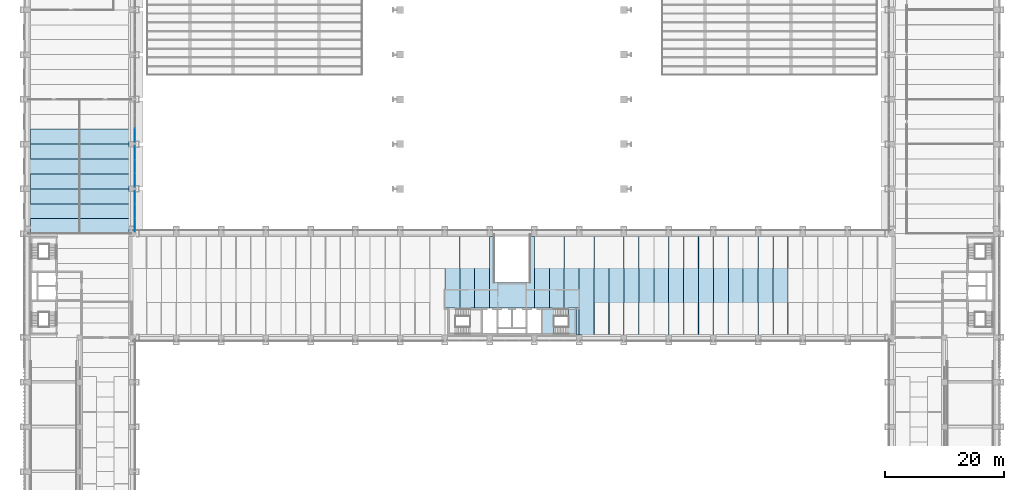
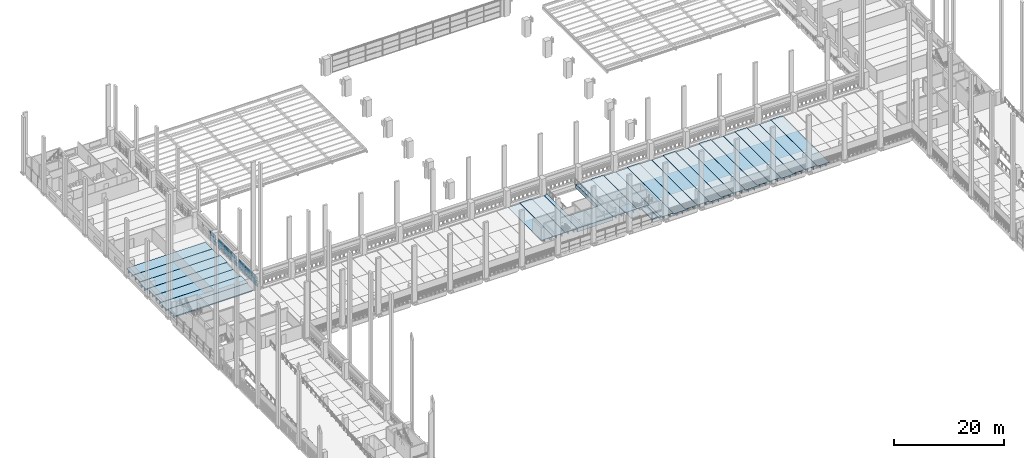
# One storey, part 29 of 67: 31 slabs, 21 plates, 4 elements without a shape of their own.
"""IFC4 building model written with IfcOpenShell, lengths in metres."""

from ifc_helpers import new_model, si_unit, direction, frame, origin, origin_2d, place, context, subcontext, project, spatial, polyline, rectangle, outline, extrude, material, layer, layer_set, material_profile, profile_set, type_object, element, aggregate, save


model = new_model("IFC4")

# Units and contexts
model_context = context("Model", 3, precision=1e-05, world=origin(), true_north=direction((0.0, 1.0)))
body_context = subcontext(model_context, "Body", "Model", "MODEL_VIEW")
ifc_project = project(units=[si_unit("LENGTHUNIT", "METRE"), si_unit("AREAUNIT", "SQUARE_METRE"), si_unit("VOLUMEUNIT", "CUBIC_METRE"), si_unit("PLANEANGLEUNIT", "RADIAN"), si_unit("MASSUNIT", "GRAM", prefix="KILO")], contexts=[model_context])

# Site, building, storey
site_placement = place(None, origin())
site = spatial("IfcSite", under=ifc_project, at=site_placement, CompositionType="ELEMENT")
building_placement = place(site_placement, origin())
building = spatial("IfcBuilding", under=site, at=building_placement, Name="Cour d'Honneur Mobility Palace", CompositionType="ELEMENT")
storey_placement = place(building_placement, frame((0.0, 0.0, 4.5)))
storey = spatial("IfcBuildingStorey", under=building, at=storey_placement, Name="L01", CompositionType="ELEMENT", Elevation=4.5)

# Slabs
ifc_material_1 = material(Name="Concrete C50", Category="concrete")
ifc_layer_1 = layer(ifc_material_1, 0.25)
ifc_layer_set_1 = layer_set([ifc_layer_1], Name="Concrete C50")
slab_type_1 = type_object("IfcSlabType", Name="Cast-in-place Slab 250", PredefinedType="FLOOR", material=ifc_layer_set_1)
slab_1_placement = place(storey_placement, frame((0.0, 0.0, -0.25)))
element("IfcSlab", 1, at=slab_1_placement, inside=storey, type_object=slab_type_1, Name="Cast-in-place slab S1 L01 core", PredefinedType="FLOOR", context=body_context, shape_type="SweptSolid", body=[
    extrude(outline(polyline([(91.949951171875, 45.449951171875), (91.949951171875, 49.800048828125), (92.39990234375, 49.800048828125), (92.39990234375, 45.449951171875), (91.949951171875, 45.449951171875)])), origin(), (0.0, 0.0, 1.0), 0.25),
])
slab_2_placement = place(storey_placement, frame((0.0, 0.0, -0.25)))
element("IfcSlab", 2, at=slab_2_placement, inside=storey, type_object=slab_type_1, Name="Cast-in-place slab S1 L01 core", PredefinedType="FLOOR", context=body_context, shape_type="SweptSolid", body=[
    extrude(outline(polyline([(91.699951171875, 45.699951171875), (90.625, 45.699951171875), (90.625, 49.675048828125), (91.699951171875, 49.675048828125), (91.699951171875, 45.699951171875)])), origin(), (0.0, 0.0, 1.0), 0.25),
])
ifc_material_2 = material(Name="Concrete C50", Category="concrete")
ifc_layer_2 = layer(ifc_material_2, 0.800048828125)
ifc_layer_set_2 = layer_set([ifc_layer_2], Name="Concrete C50")
slab_type_2 = type_object("IfcSlabType", Name="Cast-in-place Slab 800", PredefinedType="FLOOR", material=ifc_layer_set_2)
slab_3_placement = place(storey_placement, frame((0.0, 0.0, -0.800048828125)))
element("IfcSlab", 3, at=slab_3_placement, inside=storey, type_object=slab_type_2, Name="Cast-in-place slab S2 L01 grand stair", PredefinedType="FLOOR", context=body_context, shape_type="SweptSolid", body=[
    extrude(outline(polyline([(84.89990234375, 49.925048828125), (77.39990234375, 49.925048828125), (77.39990234375, 61.949951171875), (77.85009765625, 61.949951171875), (77.85009765625, 62.199951171875), (78.14990234375, 62.199951171875), (78.14990234375, 54.199951171875), (84.14990234375, 54.199951171875), (84.14990234375, 62.199951171875), (84.449951171875, 62.199951171875), (84.449951171875, 61.949951171875), (84.89990234375, 61.949951171875), (84.89990234375, 49.925048828125)])), origin(), (0.0, 0.0, 1.0), 0.800048828125),
])

# Curtain wall, plates
ifc_material_3 = material(Name="Aluminium and glass", Category="aluminium")
ifc_layer_3 = layer(ifc_material_3, 0.10009765625)
ifc_layer_set_3 = layer_set([ifc_layer_3], Name="Aluminium and glass")
curtain_wall_type = type_object("IfcCurtainWallType", Name="Curtain wall run", PredefinedType="NOTDEFINED", material=ifc_layer_set_3)
curtain_wall_1_placement = place(storey_placement, origin())
curtain_wall_1 = element("IfcCurtainWall", 4, at=curtain_wall_1_placement, inside=storey, type_object=curtain_wall_type, Name="Curtain wall CW-16", PredefinedType="NOTDEFINED")
ifc_material_4 = material(Name="Double glazing", Category="glass")
ifc_layer_4 = layer(ifc_material_4, 0.028076171875)
ifc_layer_set_4 = layer_set([ifc_layer_4], Name="Double glazing")
plate_type = type_object("IfcPlateType", Name="Curtain wall panel", PredefinedType="CURTAIN_PANEL", material=ifc_layer_set_4)
plate_1_placement = place(storey_placement, frame((17.949951171875, 63.864990234375, 0.06005859375), z_axis=(0.0, 0.0, 1.0), x_axis=(0.0, 1.0, 0.0)))
plate_1 = element("IfcPlate", 5, at=plate_1_placement, type_object=plate_type, Name="CW-16 panel 1.1", PredefinedType="CURTAIN_PANEL", context=body_context, shape_type="SweptSolid", body=[
    extrude(rectangle(XDim=2.2099609375, YDim=0.028076171875, at=origin_2d()), origin(), (0.0, 0.0, 1.0), 0.6767578125),
])
plate_2_placement = place(storey_placement, frame((17.949951171875, 63.864990234375, 0.79638671875), z_axis=(0.0, 0.0, 1.0), x_axis=(0.0, 1.0, 0.0)))
plate_2 = element("IfcPlate", 6, at=plate_2_placement, type_object=plate_type, Name="CW-16 panel 1.2", PredefinedType="CURTAIN_PANEL", context=body_context, shape_type="SweptSolid", body=[
    extrude(rectangle(XDim=2.2099609375, YDim=0.028076171875, at=origin_2d()), origin(), (0.0, 0.0, 1.0), 0.706787109375),
])
plate_3_placement = place(storey_placement, frame((17.949951171875, 63.864990234375, 1.563232421875), z_axis=(0.0, 0.0, 1.0), x_axis=(0.0, 1.0, 0.0)))
plate_3 = element("IfcPlate", 7, at=plate_3_placement, type_object=plate_type, Name="CW-16 panel 1.3", PredefinedType="CURTAIN_PANEL", context=body_context, shape_type="SweptSolid", body=[
    extrude(rectangle(XDim=2.2099609375, YDim=0.028076171875, at=origin_2d()), origin(), (0.0, 0.0, 1.0), 0.6767578125),
])
plate_4_placement = place(storey_placement, frame((17.949951171875, 66.14990234375, 0.06005859375), z_axis=(0.0, 0.0, 1.0), x_axis=(0.0, 1.0, 0.0)))
plate_4 = element("IfcPlate", 8, at=plate_4_placement, type_object=plate_type, Name="CW-16 panel 2.1", PredefinedType="CURTAIN_PANEL", context=body_context, shape_type="SweptSolid", body=[
    extrude(rectangle(XDim=2.239990234375, YDim=0.028076171875, at=origin_2d()), origin(), (0.0, 0.0, 1.0), 0.6767578125),
])
plate_5_placement = place(storey_placement, frame((17.949951171875, 66.14990234375, 0.79638671875), z_axis=(0.0, 0.0, 1.0), x_axis=(0.0, 1.0, 0.0)))
plate_5 = element("IfcPlate", 9, at=plate_5_placement, type_object=plate_type, Name="CW-16 panel 2.2", PredefinedType="CURTAIN_PANEL", context=body_context, shape_type="SweptSolid", body=[
    extrude(rectangle(XDim=2.239990234375, YDim=0.028076171875, at=origin_2d()), origin(), (0.0, 0.0, 1.0), 0.706787109375),
])
plate_6_placement = place(storey_placement, frame((17.949951171875, 66.14990234375, 1.563232421875), z_axis=(0.0, 0.0, 1.0), x_axis=(0.0, 1.0, 0.0)))
plate_6 = element("IfcPlate", 10, at=plate_6_placement, type_object=plate_type, Name="CW-16 panel 2.3", PredefinedType="CURTAIN_PANEL", context=body_context, shape_type="SweptSolid", body=[
    extrude(rectangle(XDim=2.239990234375, YDim=0.028076171875, at=origin_2d()), origin(), (0.0, 0.0, 1.0), 0.6767578125),
])
plate_7_placement = place(storey_placement, frame((17.949951171875, 68.43505859375, 0.06005859375), z_axis=(0.0, 0.0, 1.0), x_axis=(0.0, 1.0, 0.0)))
plate_7 = element("IfcPlate", 11, at=plate_7_placement, type_object=plate_type, Name="CW-16 panel 3.1", PredefinedType="CURTAIN_PANEL", context=body_context, shape_type="SweptSolid", body=[
    extrude(rectangle(XDim=2.2099609375, YDim=0.028076171875, at=origin_2d()), origin(), (0.0, 0.0, 1.0), 0.6767578125),
])
plate_8_placement = place(storey_placement, frame((17.949951171875, 68.43505859375, 0.79638671875), z_axis=(0.0, 0.0, 1.0), x_axis=(0.0, 1.0, 0.0)))
plate_8 = element("IfcPlate", 12, at=plate_8_placement, type_object=plate_type, Name="CW-16 panel 3.2", PredefinedType="CURTAIN_PANEL", context=body_context, shape_type="SweptSolid", body=[
    extrude(rectangle(XDim=2.2099609375, YDim=0.028076171875, at=origin_2d()), origin(), (0.0, 0.0, 1.0), 0.706787109375),
])
plate_9_placement = place(storey_placement, frame((17.949951171875, 68.43505859375, 1.563232421875), z_axis=(0.0, 0.0, 1.0), x_axis=(0.0, 1.0, 0.0)))
plate_9 = element("IfcPlate", 13, at=plate_9_placement, type_object=plate_type, Name="CW-16 panel 3.3", PredefinedType="CURTAIN_PANEL", context=body_context, shape_type="SweptSolid", body=[
    extrude(rectangle(XDim=2.2099609375, YDim=0.028076171875, at=origin_2d()), origin(), (0.0, 0.0, 1.0), 0.6767578125),
])
aggregate(curtain_wall_1, [plate_1, plate_2, plate_3, plate_4, plate_5, plate_6, plate_7, plate_8, plate_9])

curtain_wall_2_placement = place(storey_placement, origin())
curtain_wall_2 = element("IfcCurtainWall", 14, at=curtain_wall_2_placement, inside=storey, type_object=curtain_wall_type, Name="Curtain wall CW-17", PredefinedType="NOTDEFINED")
plate_10_placement = place(storey_placement, frame((17.949951171875, 71.364990234375, 0.06005859375), z_axis=(0.0, 0.0, 1.0), x_axis=(0.0, 1.0, 0.0)))
plate_10 = element("IfcPlate", 15, at=plate_10_placement, type_object=plate_type, Name="CW-17 panel 1.1", PredefinedType="CURTAIN_PANEL", context=body_context, shape_type="SweptSolid", body=[
    extrude(rectangle(XDim=2.2099609375, YDim=0.028076171875, at=origin_2d()), origin(), (0.0, 0.0, 1.0), 0.6767578125),
])
plate_11_placement = place(storey_placement, frame((17.949951171875, 71.364990234375, 0.79638671875), z_axis=(0.0, 0.0, 1.0), x_axis=(0.0, 1.0, 0.0)))
plate_11 = element("IfcPlate", 16, at=plate_11_placement, type_object=plate_type, Name="CW-17 panel 1.2", PredefinedType="CURTAIN_PANEL", context=body_context, shape_type="SweptSolid", body=[
    extrude(rectangle(XDim=2.2099609375, YDim=0.028076171875, at=origin_2d()), origin(), (0.0, 0.0, 1.0), 0.706787109375),
])
plate_12_placement = place(storey_placement, frame((17.949951171875, 71.364990234375, 1.563232421875), z_axis=(0.0, 0.0, 1.0), x_axis=(0.0, 1.0, 0.0)))
plate_12 = element("IfcPlate", 17, at=plate_12_placement, type_object=plate_type, Name="CW-17 panel 1.3", PredefinedType="CURTAIN_PANEL", context=body_context, shape_type="SweptSolid", body=[
    extrude(rectangle(XDim=2.2099609375, YDim=0.028076171875, at=origin_2d()), origin(), (0.0, 0.0, 1.0), 0.6767578125),
])
plate_13_placement = place(storey_placement, frame((17.949951171875, 73.64990234375, 0.06005859375), z_axis=(0.0, 0.0, 1.0), x_axis=(0.0, 1.0, 0.0)))
plate_13 = element("IfcPlate", 18, at=plate_13_placement, type_object=plate_type, Name="CW-17 panel 2.1", PredefinedType="CURTAIN_PANEL", context=body_context, shape_type="SweptSolid", body=[
    extrude(rectangle(XDim=2.239990234375, YDim=0.028076171875, at=origin_2d()), origin(), (0.0, 0.0, 1.0), 0.6767578125),
])
plate_14_placement = place(storey_placement, frame((17.949951171875, 73.64990234375, 0.79638671875), z_axis=(0.0, 0.0, 1.0), x_axis=(0.0, 1.0, 0.0)))
plate_14 = element("IfcPlate", 19, at=plate_14_placement, type_object=plate_type, Name="CW-17 panel 2.2", PredefinedType="CURTAIN_PANEL", context=body_context, shape_type="SweptSolid", body=[
    extrude(rectangle(XDim=2.239990234375, YDim=0.028076171875, at=origin_2d()), origin(), (0.0, 0.0, 1.0), 0.706787109375),
])
plate_15_placement = place(storey_placement, frame((17.949951171875, 73.64990234375, 1.563232421875), z_axis=(0.0, 0.0, 1.0), x_axis=(0.0, 1.0, 0.0)))
plate_15 = element("IfcPlate", 20, at=plate_15_placement, type_object=plate_type, Name="CW-17 panel 2.3", PredefinedType="CURTAIN_PANEL", context=body_context, shape_type="SweptSolid", body=[
    extrude(rectangle(XDim=2.239990234375, YDim=0.028076171875, at=origin_2d()), origin(), (0.0, 0.0, 1.0), 0.6767578125),
])
plate_16_placement = place(storey_placement, frame((17.949951171875, 75.93505859375, 0.06005859375), z_axis=(0.0, 0.0, 1.0), x_axis=(0.0, 1.0, 0.0)))
plate_16 = element("IfcPlate", 21, at=plate_16_placement, type_object=plate_type, Name="CW-17 panel 3.1", PredefinedType="CURTAIN_PANEL", context=body_context, shape_type="SweptSolid", body=[
    extrude(rectangle(XDim=2.2099609375, YDim=0.028076171875, at=origin_2d()), origin(), (0.0, 0.0, 1.0), 0.6767578125),
])
plate_17_placement = place(storey_placement, frame((17.949951171875, 75.93505859375, 0.79638671875), z_axis=(0.0, 0.0, 1.0), x_axis=(0.0, 1.0, 0.0)))
plate_17 = element("IfcPlate", 22, at=plate_17_placement, type_object=plate_type, Name="CW-17 panel 3.2", PredefinedType="CURTAIN_PANEL", context=body_context, shape_type="SweptSolid", body=[
    extrude(rectangle(XDim=2.2099609375, YDim=0.028076171875, at=origin_2d()), origin(), (0.0, 0.0, 1.0), 0.706787109375),
])
plate_18_placement = place(storey_placement, frame((17.949951171875, 75.93505859375, 1.563232421875), z_axis=(0.0, 0.0, 1.0), x_axis=(0.0, 1.0, 0.0)))
plate_18 = element("IfcPlate", 23, at=plate_18_placement, type_object=plate_type, Name="CW-17 panel 3.3", PredefinedType="CURTAIN_PANEL", context=body_context, shape_type="SweptSolid", body=[
    extrude(rectangle(XDim=2.2099609375, YDim=0.028076171875, at=origin_2d()), origin(), (0.0, 0.0, 1.0), 0.6767578125),
])
aggregate(curtain_wall_2, [plate_10, plate_11, plate_12, plate_13, plate_14, plate_15, plate_16, plate_17, plate_18])

curtain_wall_3_placement = place(storey_placement, origin())
curtain_wall_3 = element("IfcCurtainWall", 24, at=curtain_wall_3_placement, inside=storey, type_object=curtain_wall_type, Name="Curtain wall CW-18", PredefinedType="NOTDEFINED")
plate_19_placement = place(storey_placement, frame((17.949951171875, 78.864990234375, 0.06005859375), z_axis=(0.0, 0.0, 1.0), x_axis=(0.0, 1.0, 0.0)))
plate_19 = element("IfcPlate", 25, at=plate_19_placement, type_object=plate_type, Name="CW-18 panel 1.1", PredefinedType="CURTAIN_PANEL", context=body_context, shape_type="SweptSolid", body=[
    extrude(rectangle(XDim=2.2099609375, YDim=0.028076171875, at=origin_2d()), origin(), (0.0, 0.0, 1.0), 0.6767578125),
])
plate_20_placement = place(storey_placement, frame((17.949951171875, 78.864990234375, 0.79638671875), z_axis=(0.0, 0.0, 1.0), x_axis=(0.0, 1.0, 0.0)))
plate_20 = element("IfcPlate", 26, at=plate_20_placement, type_object=plate_type, Name="CW-18 panel 1.2", PredefinedType="CURTAIN_PANEL", context=body_context, shape_type="SweptSolid", body=[
    extrude(rectangle(XDim=2.2099609375, YDim=0.028076171875, at=origin_2d()), origin(), (0.0, 0.0, 1.0), 0.706787109375),
])
plate_21_placement = place(storey_placement, frame((17.949951171875, 78.864990234375, 1.563232421875), z_axis=(0.0, 0.0, 1.0), x_axis=(0.0, 1.0, 0.0)))
plate_21 = element("IfcPlate", 27, at=plate_21_placement, type_object=plate_type, Name="CW-18 panel 1.3", PredefinedType="CURTAIN_PANEL", context=body_context, shape_type="SweptSolid", body=[
    extrude(rectangle(XDim=2.2099609375, YDim=0.028076171875, at=origin_2d()), origin(), (0.0, 0.0, 1.0), 0.6767578125),
])
aggregate(curtain_wall_3, [plate_19, plate_20, plate_21])

# Slabs
ifc_material_5 = material(Name="Concrete C45", Category="concrete")
ifc_material_profile_1 = material_profile(ifc_material_5, outline(polyline([(-1.2451171875, 0.0), (1.2451171875, 0.0), (1.2451171875, -0.10009765625), (0.679931640625, -0.10009765625), (0.64990234375, -0.64990234375), (0.550048828125, -0.64990234375), (0.52001953125, -0.10009765625), (-0.52001953125, -0.10009765625), (-0.550048828125, -0.64990234375), (-0.64990234375, -0.64990234375), (-0.679931640625, -0.10009765625), (-1.2451171875, -0.10009765625), (-1.2451171875, 0.0)])), Name="DT 2490x650")
ifc_profile_set_1 = profile_set([ifc_material_profile_1], Name="Concrete C45")
slab_type_3 = type_object("IfcSlabType", Name="DT 2490x650", PredefinedType="FLOOR", material=ifc_profile_set_1)
slab_4_placement = place(storey_placement, frame((71.14990234375, 49.925048828125, 0.0), z_axis=(0.0, 1.0, 0.0), x_axis=(-1.0, 0.0, 0.0)))
element("IfcSlab", 28, at=slab_4_placement, inside=storey, type_object=slab_type_3, Name="Double tee DT-C22 L01", PredefinedType="FLOOR", context=body_context, shape_type="SweptSolid", body=[
    extrude(outline(polyline([(-1.2451171875, 0.0), (1.2451171875, 0.0), (1.2451171875, -0.10009765625), (0.679931640625, -0.10009765625), (0.64990234375, -0.64990234375), (0.550048828125, -0.64990234375), (0.52001953125, -0.10009765625), (-0.52001953125, -0.10009765625), (-0.550048828125, -0.64990234375), (-0.64990234375, -0.64990234375), (-0.679931640625, -0.10009765625), (-1.2451171875, -0.10009765625), (-1.2451171875, 0.0)])), origin(), (0.0, 0.0, 1.0), 12.02490234375),
])
slab_5_placement = place(storey_placement, frame((73.64990234375, 49.925048828125, 0.0), z_axis=(0.0, 1.0, 0.0), x_axis=(-1.0, 0.0, 0.0)))
element("IfcSlab", 29, at=slab_5_placement, inside=storey, type_object=slab_type_3, Name="Double tee DT-C23 L01", PredefinedType="FLOOR", context=body_context, shape_type="SweptSolid", body=[
    extrude(outline(polyline([(-1.2451171875, 0.0), (1.2451171875, 0.0), (1.2451171875, -0.10009765625), (0.679931640625, -0.10009765625), (0.64990234375, -0.64990234375), (0.550048828125, -0.64990234375), (0.52001953125, -0.10009765625), (-0.52001953125, -0.10009765625), (-0.550048828125, -0.64990234375), (-0.64990234375, -0.64990234375), (-0.679931640625, -0.10009765625), (-1.2451171875, -0.10009765625), (-1.2451171875, 0.0)])), origin(), (0.0, 0.0, 1.0), 12.27490234375),
])
for number, where, z_axis, x_axis, name in (
    (30, (76.14990234375, 49.925048828125, 0.0), (0.0, 1.0, 0.0), (-1.0, 0.0, 0.0), "Double tee DT-C24 L01"),
    (31, (86.14990234375, 49.925048828125, 0.0), (0.0, 1.0, 0.0), (-1.0, 0.0, 0.0), "Double tee DT-C28 L01"),
):
    element("IfcSlab", number, at=place(storey_placement, frame(where, z_axis=z_axis, x_axis=x_axis)), inside=storey, type_object=slab_type_3, Name=name, PredefinedType="FLOOR", context=body_context, shape_type="SweptSolid", body=[
        extrude(outline(polyline([(-1.2451171875, 0.0), (1.2451171875, 0.0), (1.2451171875, -0.10009765625), (0.679931640625, -0.10009765625), (0.64990234375, -0.64990234375), (0.550048828125, -0.64990234375), (0.52001953125, -0.10009765625), (-0.52001953125, -0.10009765625), (-0.550048828125, -0.64990234375), (-0.64990234375, -0.64990234375), (-0.679931640625, -0.10009765625), (-1.2451171875, -0.10009765625), (-1.2451171875, 0.0)])), origin(), (0.0, 0.0, 1.0), 12.02490234375),
    ])
slab_6_placement = place(storey_placement, frame((88.64990234375, 49.925048828125, 0.0), z_axis=(0.0, 1.0, 0.0), x_axis=(-1.0, 0.0, 0.0)))
element("IfcSlab", 32, at=slab_6_placement, inside=storey, type_object=slab_type_3, Name="Double tee DT-C29 L01", PredefinedType="FLOOR", context=body_context, shape_type="SweptSolid", body=[
    extrude(outline(polyline([(-1.2451171875, 0.0), (1.2451171875, 0.0), (1.2451171875, -0.10009765625), (0.679931640625, -0.10009765625), (0.64990234375, -0.64990234375), (0.550048828125, -0.64990234375), (0.52001953125, -0.10009765625), (-0.52001953125, -0.10009765625), (-0.550048828125, -0.64990234375), (-0.64990234375, -0.64990234375), (-0.679931640625, -0.10009765625), (-1.2451171875, -0.10009765625), (-1.2451171875, 0.0)])), origin(), (0.0, 0.0, 1.0), 12.27490234375),
])
slab_7_placement = place(storey_placement, frame((91.14990234375, 49.925048828125, 0.0), z_axis=(0.0, 1.0, 0.0), x_axis=(-1.0, 0.0, 0.0)))
element("IfcSlab", 33, at=slab_7_placement, inside=storey, type_object=slab_type_3, Name="Double tee DT-C30 L01", PredefinedType="FLOOR", context=body_context, shape_type="SweptSolid", body=[
    extrude(outline(polyline([(-1.2451171875, 0.0), (1.2451171875, 0.0), (1.2451171875, -0.10009765625), (0.679931640625, -0.10009765625), (0.64990234375, -0.64990234375), (0.550048828125, -0.64990234375), (0.52001953125, -0.10009765625), (-0.52001953125, -0.10009765625), (-0.550048828125, -0.64990234375), (-0.64990234375, -0.64990234375), (-0.679931640625, -0.10009765625), (-1.2451171875, -0.10009765625), (-1.2451171875, 0.0)])), origin(), (0.0, 0.0, 1.0), 12.02490234375),
])
ifc_material_6 = material(Name="Concrete C45", Category="concrete")
ifc_material_profile_2 = material_profile(ifc_material_6, outline(polyline([(-1.2451171875, 0.0), (1.2451171875, 0.0), (1.2451171875, -0.10009765625), (0.679931640625, -0.10009765625), (0.64990234375, -0.75), (0.550048828125, -0.75), (0.52001953125, -0.10009765625), (-0.52001953125, -0.10009765625), (-0.550048828125, -0.75), (-0.64990234375, -0.75), (-0.679931640625, -0.10009765625), (-1.2451171875, -0.10009765625), (-1.2451171875, 0.0)])), Name="DT 2490x750")
ifc_profile_set_2 = profile_set([ifc_material_profile_2], Name="Concrete C45")
slab_type_4 = type_object("IfcSlabType", Name="DT 2490x750", PredefinedType="FLOOR", material=ifc_profile_set_2)
slab_8_placement = place(storey_placement, frame((93.64990234375, 45.449951171875, 0.0), z_axis=(0.0, 1.0, 0.0), x_axis=(-1.0, 0.0, 0.0)))
element("IfcSlab", 34, at=slab_8_placement, inside=storey, type_object=slab_type_4, Name="Double tee DT-C31 L01", PredefinedType="FLOOR", context=body_context, shape_type="SweptSolid", body=[
    extrude(outline(polyline([(-1.2451171875, 0.0), (1.2451171875, 0.0), (1.2451171875, -0.10009765625), (0.679931640625, -0.10009765625), (0.64990234375, -0.75), (0.550048828125, -0.75), (0.52001953125, -0.10009765625), (-0.52001953125, -0.10009765625), (-0.550048828125, -0.75), (-0.64990234375, -0.75), (-0.679931640625, -0.10009765625), (-1.2451171875, -0.10009765625), (-1.2451171875, 0.0)])), origin(), (0.0, 0.0, 1.0), 16.5),
])
slab_9_placement = place(storey_placement, frame((96.14990234375, 45.199951171875, 0.0), z_axis=(0.0, 1.0, 0.0), x_axis=(-1.0, 0.0, 0.0)))
element("IfcSlab", 35, at=slab_9_placement, inside=storey, type_object=slab_type_4, Name="Double tee DT-C32 L01", PredefinedType="FLOOR", context=body_context, shape_type="SweptSolid", body=[
    extrude(outline(polyline([(-1.2451171875, 0.0), (1.2451171875, 0.0), (1.2451171875, -0.10009765625), (0.679931640625, -0.10009765625), (0.64990234375, -0.75), (0.550048828125, -0.75), (0.52001953125, -0.10009765625), (-0.52001953125, -0.10009765625), (-0.550048828125, -0.75), (-0.64990234375, -0.75), (-0.679931640625, -0.10009765625), (-1.2451171875, -0.10009765625), (-1.2451171875, 0.0)])), origin(), (0.0, 0.0, 1.0), 17.0),
])
for number, where, z_axis, x_axis, name in (
    (36, (98.64990234375, 45.449951171875, 0.0), (0.0, 1.0, 0.0), (-1.0, 0.0, 0.0), "Double tee DT-C33 L01"),
    (37, (101.14990234375, 45.449951171875, 0.0), (0.0, 1.0, 0.0), (-1.0, 0.0, 0.0), "Double tee DT-C34 L01"),
):
    element("IfcSlab", number, at=place(storey_placement, frame(where, z_axis=z_axis, x_axis=x_axis)), inside=storey, type_object=slab_type_4, Name=name, PredefinedType="FLOOR", context=body_context, shape_type="SweptSolid", body=[
        extrude(outline(polyline([(-1.2451171875, 0.0), (1.2451171875, 0.0), (1.2451171875, -0.10009765625), (0.679931640625, -0.10009765625), (0.64990234375, -0.75), (0.550048828125, -0.75), (0.52001953125, -0.10009765625), (-0.52001953125, -0.10009765625), (-0.550048828125, -0.75), (-0.64990234375, -0.75), (-0.679931640625, -0.10009765625), (-1.2451171875, -0.10009765625), (-1.2451171875, 0.0)])), origin(), (0.0, 0.0, 1.0), 16.5),
    ])
slab_10_placement = place(storey_placement, frame((103.64990234375, 45.199951171875, 0.0), z_axis=(0.0, 1.0, 0.0), x_axis=(-1.0, 0.0, 0.0)))
element("IfcSlab", 38, at=slab_10_placement, inside=storey, type_object=slab_type_4, Name="Double tee DT-C35 L01", PredefinedType="FLOOR", context=body_context, shape_type="SweptSolid", body=[
    extrude(outline(polyline([(-1.2451171875, 0.0), (1.2451171875, 0.0), (1.2451171875, -0.10009765625), (0.679931640625, -0.10009765625), (0.64990234375, -0.75), (0.550048828125, -0.75), (0.52001953125, -0.10009765625), (-0.52001953125, -0.10009765625), (-0.550048828125, -0.75), (-0.64990234375, -0.75), (-0.679931640625, -0.10009765625), (-1.2451171875, -0.10009765625), (-1.2451171875, 0.0)])), origin(), (0.0, 0.0, 1.0), 17.0),
])
for number, where, z_axis, x_axis, name in (
    (39, (106.14990234375, 45.449951171875, 0.0), (0.0, 1.0, 0.0), (-1.0, 0.0, 0.0), "Double tee DT-C36 L01"),
    (40, (108.64990234375, 45.449951171875, 0.0), (0.0, 1.0, 0.0), (-1.0, 0.0, 0.0), "Double tee DT-C37 L01"),
):
    element("IfcSlab", number, at=place(storey_placement, frame(where, z_axis=z_axis, x_axis=x_axis)), inside=storey, type_object=slab_type_4, Name=name, PredefinedType="FLOOR", context=body_context, shape_type="SweptSolid", body=[
        extrude(outline(polyline([(-1.2451171875, 0.0), (1.2451171875, 0.0), (1.2451171875, -0.10009765625), (0.679931640625, -0.10009765625), (0.64990234375, -0.75), (0.550048828125, -0.75), (0.52001953125, -0.10009765625), (-0.52001953125, -0.10009765625), (-0.550048828125, -0.75), (-0.64990234375, -0.75), (-0.679931640625, -0.10009765625), (-1.2451171875, -0.10009765625), (-1.2451171875, 0.0)])), origin(), (0.0, 0.0, 1.0), 16.5),
    ])
slab_11_placement = place(storey_placement, frame((111.14990234375, 45.199951171875, 0.0), z_axis=(0.0, 1.0, 0.0), x_axis=(-1.0, 0.0, 0.0)))
element("IfcSlab", 41, at=slab_11_placement, inside=storey, type_object=slab_type_4, Name="Double tee DT-C38 L01", PredefinedType="FLOOR", context=body_context, shape_type="SweptSolid", body=[
    extrude(outline(polyline([(-1.2451171875, 0.0), (1.2451171875, 0.0), (1.2451171875, -0.10009765625), (0.679931640625, -0.10009765625), (0.64990234375, -0.75), (0.550048828125, -0.75), (0.52001953125, -0.10009765625), (-0.52001953125, -0.10009765625), (-0.550048828125, -0.75), (-0.64990234375, -0.75), (-0.679931640625, -0.10009765625), (-1.2451171875, -0.10009765625), (-1.2451171875, 0.0)])), origin(), (0.0, 0.0, 1.0), 17.0),
])
for number, where, z_axis, x_axis, name in (
    (42, (113.64990234375, 45.449951171875, 0.0), (0.0, 1.0, 0.0), (-1.0, 0.0, 0.0), "Double tee DT-C39 L01"),
    (43, (116.14990234375, 45.449951171875, 0.0), (0.0, 1.0, 0.0), (-1.0, 0.0, 0.0), "Double tee DT-C40 L01"),
):
    element("IfcSlab", number, at=place(storey_placement, frame(where, z_axis=z_axis, x_axis=x_axis)), inside=storey, type_object=slab_type_4, Name=name, PredefinedType="FLOOR", context=body_context, shape_type="SweptSolid", body=[
        extrude(outline(polyline([(-1.2451171875, 0.0), (1.2451171875, 0.0), (1.2451171875, -0.10009765625), (0.679931640625, -0.10009765625), (0.64990234375, -0.75), (0.550048828125, -0.75), (0.52001953125, -0.10009765625), (-0.52001953125, -0.10009765625), (-0.550048828125, -0.75), (-0.64990234375, -0.75), (-0.679931640625, -0.10009765625), (-1.2451171875, -0.10009765625), (-1.2451171875, 0.0)])), origin(), (0.0, 0.0, 1.0), 16.5),
    ])
slab_12_placement = place(storey_placement, frame((118.64990234375, 45.199951171875, 0.0), z_axis=(0.0, 1.0, 0.0), x_axis=(-1.0, 0.0, 0.0)))
element("IfcSlab", 44, at=slab_12_placement, inside=storey, type_object=slab_type_4, Name="Double tee DT-C41 L01", PredefinedType="FLOOR", context=body_context, shape_type="SweptSolid", body=[
    extrude(outline(polyline([(-1.2451171875, 0.0), (1.2451171875, 0.0), (1.2451171875, -0.10009765625), (0.679931640625, -0.10009765625), (0.64990234375, -0.75), (0.550048828125, -0.75), (0.52001953125, -0.10009765625), (-0.52001953125, -0.10009765625), (-0.550048828125, -0.75), (-0.64990234375, -0.75), (-0.679931640625, -0.10009765625), (-1.2451171875, -0.10009765625), (-1.2451171875, 0.0)])), origin(), (0.0, 0.0, 1.0), 17.0),
])
for number, where, z_axis, x_axis, name in (
    (45, (121.14990234375, 45.449951171875, 0.0), (0.0, 1.0, 0.0), (-1.0, 0.0, 0.0), "Double tee DT-C42 L01"),
    (46, (123.64990234375, 45.449951171875, 0.0), (0.0, 1.0, 0.0), (-1.0, 0.0, 0.0), "Double tee DT-C43 L01"),
):
    element("IfcSlab", number, at=place(storey_placement, frame(where, z_axis=z_axis, x_axis=x_axis)), inside=storey, type_object=slab_type_4, Name=name, PredefinedType="FLOOR", context=body_context, shape_type="SweptSolid", body=[
        extrude(outline(polyline([(-1.2451171875, 0.0), (1.2451171875, 0.0), (1.2451171875, -0.10009765625), (0.679931640625, -0.10009765625), (0.64990234375, -0.75), (0.550048828125, -0.75), (0.52001953125, -0.10009765625), (-0.52001953125, -0.10009765625), (-0.550048828125, -0.75), (-0.64990234375, -0.75), (-0.679931640625, -0.10009765625), (-1.2451171875, -0.10009765625), (-1.2451171875, 0.0)])), origin(), (0.0, 0.0, 1.0), 16.5),
    ])
slab_13_placement = place(storey_placement, frame((126.14990234375, 45.199951171875, 0.0), z_axis=(0.0, 1.0, 0.0), x_axis=(-1.0, 0.0, 0.0)))
element("IfcSlab", 47, at=slab_13_placement, inside=storey, type_object=slab_type_4, Name="Double tee DT-C44 L01", PredefinedType="FLOOR", context=body_context, shape_type="SweptSolid", body=[
    extrude(outline(polyline([(-1.2451171875, 0.0), (1.2451171875, 0.0), (1.2451171875, -0.10009765625), (0.679931640625, -0.10009765625), (0.64990234375, -0.75), (0.550048828125, -0.75), (0.52001953125, -0.10009765625), (-0.52001953125, -0.10009765625), (-0.550048828125, -0.75), (-0.64990234375, -0.75), (-0.679931640625, -0.10009765625), (-1.2451171875, -0.10009765625), (-1.2451171875, 0.0)])), origin(), (0.0, 0.0, 1.0), 17.0),
])
slab_14_placement = place(storey_placement, frame((0.449951171875, 63.64990234375, 0.0), z_axis=(1.0, 0.0, 0.0), x_axis=(0.0, 1.0, 0.0)))
element("IfcSlab", 48, at=slab_14_placement, inside=storey, type_object=slab_type_4, Name="Double tee DT-NW1 L01", PredefinedType="FLOOR", context=body_context, shape_type="SweptSolid", body=[
    extrude(outline(polyline([(-1.2451171875, 0.0), (1.2451171875, 0.0), (1.2451171875, -0.10009765625), (0.679931640625, -0.10009765625), (0.64990234375, -0.75), (0.550048828125, -0.75), (0.52001953125, -0.10009765625), (-0.52001953125, -0.10009765625), (-0.550048828125, -0.75), (-0.64990234375, -0.75), (-0.679931640625, -0.10009765625), (-1.2451171875, -0.10009765625), (-1.2451171875, 0.0)])), origin(), (0.0, 0.0, 1.0), 16.5),
])
slab_15_placement = place(storey_placement, frame((0.199951171875, 66.14990234375, 0.0), z_axis=(1.0, 0.0, 0.0), x_axis=(0.0, 1.0, 0.0)))
element("IfcSlab", 49, at=slab_15_placement, inside=storey, type_object=slab_type_4, Name="Double tee DT-NW2 L01", PredefinedType="FLOOR", context=body_context, shape_type="SweptSolid", body=[
    extrude(outline(polyline([(-1.2451171875, 0.0), (1.2451171875, 0.0), (1.2451171875, -0.10009765625), (0.679931640625, -0.10009765625), (0.64990234375, -0.75), (0.550048828125, -0.75), (0.52001953125, -0.10009765625), (-0.52001953125, -0.10009765625), (-0.550048828125, -0.75), (-0.64990234375, -0.75), (-0.679931640625, -0.10009765625), (-1.2451171875, -0.10009765625), (-1.2451171875, 0.0)])), origin(), (0.0, 0.0, 1.0), 17.0),
])
for number, where, z_axis, x_axis, name in (
    (50, (0.449951171875, 68.64990234375, 0.0), (1.0, 0.0, 0.0), (0.0, 1.0, 0.0), "Double tee DT-NW3 L01"),
    (51, (0.449951171875, 71.14990234375, 0.0), (1.0, 0.0, 0.0), (0.0, 1.0, 0.0), "Double tee DT-NW4 L01"),
):
    element("IfcSlab", number, at=place(storey_placement, frame(where, z_axis=z_axis, x_axis=x_axis)), inside=storey, type_object=slab_type_4, Name=name, PredefinedType="FLOOR", context=body_context, shape_type="SweptSolid", body=[
        extrude(outline(polyline([(-1.2451171875, 0.0), (1.2451171875, 0.0), (1.2451171875, -0.10009765625), (0.679931640625, -0.10009765625), (0.64990234375, -0.75), (0.550048828125, -0.75), (0.52001953125, -0.10009765625), (-0.52001953125, -0.10009765625), (-0.550048828125, -0.75), (-0.64990234375, -0.75), (-0.679931640625, -0.10009765625), (-1.2451171875, -0.10009765625), (-1.2451171875, 0.0)])), origin(), (0.0, 0.0, 1.0), 16.5),
    ])
slab_16_placement = place(storey_placement, frame((0.199951171875, 73.64990234375, 0.0), z_axis=(1.0, 0.0, 0.0), x_axis=(0.0, 1.0, 0.0)))
element("IfcSlab", 52, at=slab_16_placement, inside=storey, type_object=slab_type_4, Name="Double tee DT-NW5 L01", PredefinedType="FLOOR", context=body_context, shape_type="SweptSolid", body=[
    extrude(outline(polyline([(-1.2451171875, 0.0), (1.2451171875, 0.0), (1.2451171875, -0.10009765625), (0.679931640625, -0.10009765625), (0.64990234375, -0.75), (0.550048828125, -0.75), (0.52001953125, -0.10009765625), (-0.52001953125, -0.10009765625), (-0.550048828125, -0.75), (-0.64990234375, -0.75), (-0.679931640625, -0.10009765625), (-1.2451171875, -0.10009765625), (-1.2451171875, 0.0)])), origin(), (0.0, 0.0, 1.0), 17.0),
])
for number, where, z_axis, x_axis, name in (
    (53, (0.449951171875, 76.14990234375, 0.0), (1.0, 0.0, 0.0), (0.0, 1.0, 0.0), "Double tee DT-NW6 L01"),
    (54, (0.449951171875, 78.64990234375, 0.0), (1.0, 0.0, 0.0), (0.0, 1.0, 0.0), "Double tee DT-NW7 L01"),
):
    element("IfcSlab", number, at=place(storey_placement, frame(where, z_axis=z_axis, x_axis=x_axis)), inside=storey, type_object=slab_type_4, Name=name, PredefinedType="FLOOR", context=body_context, shape_type="SweptSolid", body=[
        extrude(outline(polyline([(-1.2451171875, 0.0), (1.2451171875, 0.0), (1.2451171875, -0.10009765625), (0.679931640625, -0.10009765625), (0.64990234375, -0.75), (0.550048828125, -0.75), (0.52001953125, -0.10009765625), (-0.52001953125, -0.10009765625), (-0.550048828125, -0.75), (-0.64990234375, -0.75), (-0.679931640625, -0.10009765625), (-1.2451171875, -0.10009765625), (-1.2451171875, 0.0)])), origin(), (0.0, 0.0, 1.0), 16.5),
    ])

# Stair, slab
ifc_material_7 = material(Name="Concrete C50", Category="concrete")
stair_type = type_object("IfcStairType", Name="Stair 20 risers", PredefinedType="HALF_TURN_STAIR", material=ifc_material_7)
stair_placement = place(storey_placement, origin())
stair = element("IfcStair", 55, at=stair_placement, inside=storey, type_object=stair_type, Name="Stair ST-CC2", PredefinedType="HALF_TURN_STAIR")
ifc_material_8 = material(Name="Concrete C50", Category="concrete")
ifc_layer_5 = layer(ifc_material_8, 0.199951171875)
ifc_layer_set_5 = layer_set([ifc_layer_5], Name="Concrete C50")
slab_type_5 = type_object("IfcSlabType", Name="Stair landing", PredefinedType="LANDING", material=ifc_layer_set_5)
slab_17_placement = place(storey_placement, frame((0.0, 0.0, 1.64990234375)))
slab_17 = element("IfcSlab", 56, at=slab_17_placement, type_object=slab_type_5, Name="ST-CC2 landing 1", PredefinedType="LANDING", context=body_context, shape_type="SweptSolid", body=[
    extrude(outline(polyline([(86.199951171875, 45.574951171875), (88.195068359375, 45.574951171875), (88.195068359375, 49.800048828125), (86.199951171875, 49.800048828125), (86.199951171875, 45.574951171875)])), origin(), (0.0, 0.0, 1.0), 0.2001953125),
])
aggregate(stair, [slab_17])

save(model, "model.ifc")
